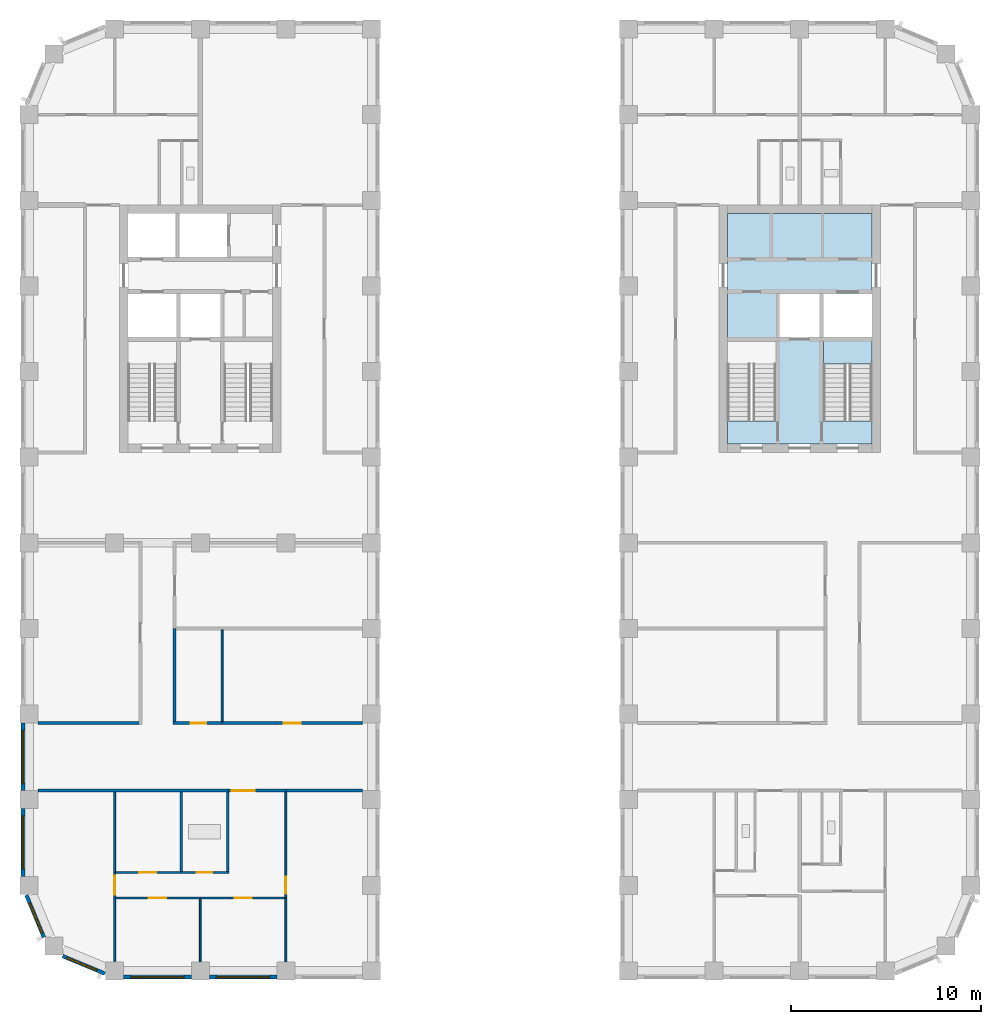
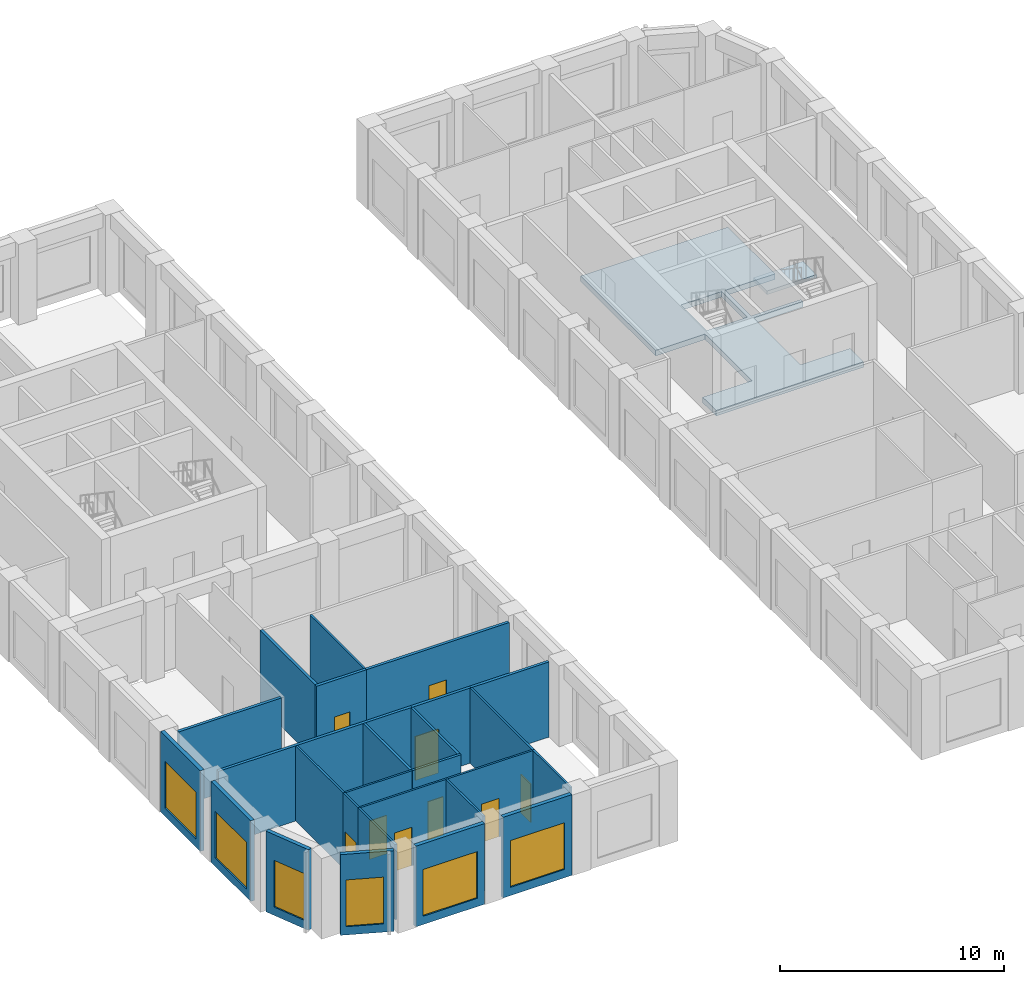
# One storey, part 2 of 12: 26 walls, 9 doors, 6 windows, 2 slabs, 15 openings, 1 element without a shape of its own.
"""IFC4 building model written with IfcOpenShell, lengths in metres."""

from ifc_helpers import new_model, si_unit, direction, frame, frame_2d, origin, place, context, subcontext, project, spatial, polyline, rectangle, outline, extrude, material, layer, layer_set, type_object, element, fill, aggregate, save


model = new_model("IFC4")

# Units and contexts
model_context = context("Model", 3, precision=1e-05, world=origin(), true_north=direction((0.0, 1.0)))
body_context = subcontext(model_context, "Body", "Model", "MODEL_VIEW")
ifc_project = project(units=[si_unit("LENGTHUNIT", "METRE"), si_unit("AREAUNIT", "SQUARE_METRE"), si_unit("VOLUMEUNIT", "CUBIC_METRE"), si_unit("PLANEANGLEUNIT", "RADIAN"), si_unit("MASSUNIT", "GRAM", prefix="KILO")], contexts=[model_context])

# Site, building, storey
site_placement = place(None, origin())
site = spatial("IfcSite", under=ifc_project, at=site_placement, CompositionType="ELEMENT")
building_placement = place(site_placement, origin())
building = spatial("IfcBuilding", under=site, at=building_placement, Name="Girih Gate Residences", CompositionType="ELEMENT")
storey_placement = place(building_placement, frame((0.0, 0.0, 155.0)))
storey = spatial("IfcBuildingStorey", under=building, at=storey_placement, Name="L43", CompositionType="ELEMENT", Elevation=155.0)

# Slab
ifc_material_1 = material(Name="Concrete C40/50", Category="concrete")
ifc_layer_1 = layer(ifc_material_1, 0.300048828125)
ifc_layer_set_1 = layer_set([ifc_layer_1], Name="Core floor slab 300")
slab_type_1 = type_object("IfcSlabType", Name="Core floor slab 300", PredefinedType="FLOOR", material=ifc_layer_set_1)
slab_1_placement = place(storey_placement, frame((0.0, 0.0, -0.300048828125)))
element("IfcSlab", 1, at=slab_1_placement, inside=storey, type_object=slab_type_1, Name="L43 E core floor", PredefinedType="FLOOR", context=body_context, shape_type="SweptSolid", body=[
    extrude(outline(polyline([(44.300048828125, 27.699951171875), (36.699951171875, 27.699951171875), (36.699951171875, 28.900634765625), (39.25, 28.900634765625), (39.25, 33.10009765625), (36.699951171875, 33.10009765625), (36.699951171875, 39.800048828125), (44.300048828125, 39.800048828125), (44.300048828125, 35.60009765625), (41.75, 35.60009765625), (41.75, 33.300048828125), (44.300048828125, 33.300048828125), (44.300048828125, 33.10009765625), (41.75, 33.10009765625), (41.75, 28.900634765625), (44.300048828125, 28.900634765625), (44.300048828125, 27.699951171875)]), holes=[polyline([(39.449951171875, 33.300048828125), (41.550048828125, 33.300048828125), (41.550048828125, 35.60009765625), (39.449951171875, 35.60009765625), (39.449951171875, 33.300048828125)])]), origin(), (0.0, 0.0, 1.0), 0.300048828125),
])

# Stair, slab
stair_type = type_object("IfcStairType", Name="Exit stair", PredefinedType="HALF_TURN_STAIR", material=ifc_material_1)
stair_placement = place(storey_placement, origin())
stair = element("IfcStair", 2, at=stair_placement, inside=storey, type_object=stair_type, Name="L43 Exit Stair ST-E1", PredefinedType="HALF_TURN_STAIR")
ifc_layer_2 = layer(ifc_material_1, 0.199951171875)
ifc_layer_set_2 = layer_set([ifc_layer_2], Name="Stair landing 200")
slab_type_2 = type_object("IfcSlabType", Name="Stair landing 200", PredefinedType="LANDING", material=ifc_layer_set_2)
slab_2_placement = place(storey_placement, frame((0.0, 0.0, 2.0)))
slab_2 = element("IfcSlab", 3, at=slab_2_placement, type_object=slab_type_2, Name="ST-E1 landing 1", PredefinedType="LANDING", context=body_context, shape_type="SweptSolid", body=[
    extrude(outline(polyline([(44.300048828125, 31.89990234375), (44.300048828125, 33.10009765625), (41.75, 33.10009765625), (41.75, 31.89990234375), (44.300048828125, 31.89990234375)])), origin(), (0.0, 0.0, 1.0), 0.199951171875),
])
aggregate(stair, [slab_2])

# Wall
ifc_material_2 = material(Name="Gypsum board on steel studs", Category="steel")
ifc_layer_3 = layer(ifc_material_2, 0.14990234375)
ifc_layer_set_3 = layer_set([ifc_layer_3], Name="Compartment wall 150 mm")
wall_type_1 = type_object("IfcWallType", Name="Compartment wall 150 mm", PredefinedType="PARTITIONING", material=ifc_layer_set_3)
wall_1_placement = place(storey_placement, frame((13.5, 9.47509765625, 0.0), z_axis=(0.0, 0.0, 1.0), x_axis=(1.0, 0.0, 0.0)))
element("IfcWall", 4, at=wall_1_placement, inside=storey, type_object=wall_type_1, Name="L43 partition", PredefinedType="PARTITIONING", context=body_context, shape_type="SweptSolid", body=[
    extrude(rectangle(XDim=4.02490234375, YDim=0.14990234375, at=frame_2d((2.012451171875, 0.0))), origin(), (0.0, 0.0, 1.0), 4.10009765625),
])

# Wall, opening, door
wall_2_placement = place(storey_placement, frame((13.5, 9.47509765625, 0.0), z_axis=(0.0, 0.0, 1.0), x_axis=(-1.0, 0.0, 0.0)))
wall_2 = element("IfcWall", 5, at=wall_2_placement, inside=storey, type_object=wall_type_1, Name="L43 partition", PredefinedType="PARTITIONING", context=body_context, shape_type="SweptSolid", body=[
    extrude(rectangle(XDim=3.050048828125, YDim=0.14990234375, at=frame_2d((1.52490234375, 0.0))), origin(), (0.0, 0.0, 1.0), 4.10009765625),
])
opening_1_placement = place(wall_2_placement, frame((1.64990234375, 0.0, 0.0)))
opening_1 = element("IfcOpeningElement", 6, at=opening_1_placement, cuts=wall_2, Name="Opening A43-007", PredefinedType="OPENING", context=body_context, shape_type="SweptSolid", body=[
    extrude(rectangle(XDim=1.199951171875, YDim=2.39990234375, at=frame_2d((0.60009765625, 1.199951171875))), frame((0.0, 0.0849609375, 0.0), z_axis=(0.0, -1.0, 0.0), x_axis=(1.0, 0.0, 0.0)), (0.0, 0.0, 1.0), 0.169921875),
])
ifc_material_3 = material(Name="Timber, fire-rated core", Category="wood")
door_type_1 = type_object("IfcDoorType", Name="Villa entrance door 1200x2400 FD30S", OperationType="NOTDEFINED", PredefinedType="DOOR", material=ifc_material_3)
door_1_placement = place(opening_1_placement, origin())
door_1 = element("IfcDoor", 7, at=door_1_placement, inside=storey, type_object=door_type_1, Name="Door A43-007", OperationType="SINGLE_SWING_RIGHT", OverallHeight=2.39990234375, OverallWidth=1.199951171875, PredefinedType="DOOR", context=body_context, shape_type="SweptSolid", body=[
    extrude(rectangle(XDim=1.199951171875, YDim=2.39990234375, at=frame_2d((0.60009765625, 1.199951171875))), frame((0.0, 0.02490234375, 0.0), z_axis=(0.0, -1.0, 0.0), x_axis=(1.0, 0.0, 0.0)), (0.0, 0.0, 1.0), 0.050048828125),
])
fill(opening_1, door_1)

# Wall
wall_3_placement = place(storey_placement, frame((0.47509765625, 9.47509765625, 0.0), z_axis=(0.0, 0.0, 1.0), x_axis=(1.0, 0.0, 0.0)))
element("IfcWall", 8, at=wall_3_placement, inside=storey, type_object=wall_type_1, Name="L43 partition", PredefinedType="PARTITIONING", context=body_context, shape_type="SweptSolid", body=[
    extrude(rectangle(XDim=9.974853515625, YDim=0.14990234375, at=frame_2d((4.9873046875, 0.0))), origin(), (0.0, 0.0, 1.0), 4.10009765625),
])

# Wall, opening, door
wall_4_placement = place(storey_placement, frame((10.14990234375, 13.02490234375, 0.0), z_axis=(0.0, 0.0, 1.0), x_axis=(1.0, 0.0, 0.0)))
wall_4 = element("IfcWall", 9, at=wall_4_placement, inside=storey, type_object=wall_type_1, Name="L43 partition", PredefinedType="PARTITIONING", context=body_context, shape_type="SweptSolid", body=[
    extrude(rectangle(XDim=7.375, YDim=0.14990234375, at=frame_2d((3.6875, 0.0))), origin(), (0.0, 0.0, 1.0), 4.10009765625),
])
opening_2_placement = place(wall_4_placement, frame((3.237548828125, 0.0, 0.0)))
opening_2 = element("IfcOpeningElement", 10, at=opening_2_placement, cuts=wall_4, Name="Opening A43-037", PredefinedType="OPENING", context=body_context, shape_type="SweptSolid", body=[
    extrude(rectangle(XDim=0.89990234375, YDim=2.10009765625, at=frame_2d((0.449951171875, 1.050048828125))), frame((0.0, 0.0849609375, 0.0), z_axis=(0.0, -1.0, 0.0), x_axis=(1.0, 0.0, 0.0)), (0.0, 0.0, 1.0), 0.169921875),
])
ifc_material_4 = material(Name="Timber", Category="wood")
door_type_2 = type_object("IfcDoorType", Name="Service room door 900x2100", OperationType="NOTDEFINED", PredefinedType="DOOR", material=ifc_material_4)
door_2_placement = place(opening_2_placement, origin())
door_2 = element("IfcDoor", 11, at=door_2_placement, inside=storey, type_object=door_type_2, Name="Door A43-037", OperationType="SINGLE_SWING_LEFT", OverallHeight=2.10009765625, OverallWidth=0.89990234375, PredefinedType="DOOR", context=body_context, shape_type="SweptSolid", body=[
    extrude(rectangle(XDim=0.89990234375, YDim=2.10009765625, at=frame_2d((0.449951171875, 1.050048828125))), frame((0.0, 0.02490234375, 0.0), z_axis=(0.0, -1.0, 0.0), x_axis=(1.0, 0.0, 0.0)), (0.0, 0.0, 1.0), 0.050048828125),
])
fill(opening_2, door_2)

wall_5_placement = place(storey_placement, frame((7.574951171875, 13.02490234375, 0.0), z_axis=(0.0, 0.0, 1.0), x_axis=(1.0, 0.0, 0.0)))
wall_5 = element("IfcWall", 12, at=wall_5_placement, inside=storey, type_object=wall_type_1, Name="L43 partition", PredefinedType="PARTITIONING", context=body_context, shape_type="SweptSolid", body=[
    extrude(rectangle(XDim=2.574951171875, YDim=0.14990234375, at=frame_2d((1.28759765625, 0.0))), origin(), (0.0, 0.0, 1.0), 4.10009765625),
])
opening_3_placement = place(wall_5_placement, frame((0.925048828125, 0.0, 0.0)))
opening_3 = element("IfcOpeningElement", 13, at=opening_3_placement, cuts=wall_5, Name="Opening A43-038", PredefinedType="OPENING", context=body_context, shape_type="SweptSolid", body=[
    extrude(rectangle(XDim=0.800048828125, YDim=2.10009765625, at=frame_2d((0.39990234375, 1.050048828125))), frame((0.0, 0.0849609375, 0.0), z_axis=(0.0, -1.0, 0.0), x_axis=(1.0, 0.0, 0.0)), (0.0, 0.0, 1.0), 0.169921875),
])
door_type_3 = type_object("IfcDoorType", Name="Bathroom door 800x2100", OperationType="NOTDEFINED", PredefinedType="DOOR", material=ifc_material_4)
door_3_placement = place(opening_3_placement, origin())
door_3 = element("IfcDoor", 14, at=door_3_placement, inside=storey, type_object=door_type_3, Name="Door A43-038", OperationType="SINGLE_SWING_RIGHT", OverallHeight=2.10009765625, OverallWidth=0.800048828125, PredefinedType="DOOR", context=body_context, shape_type="SweptSolid", body=[
    extrude(rectangle(XDim=0.800048828125, YDim=2.10009765625, at=frame_2d((0.39990234375, 1.050048828125))), frame((0.0, 0.02490234375, 0.0), z_axis=(0.0, -1.0, 0.0), x_axis=(1.0, 0.0, 0.0)), (0.0, 0.0, 1.0), 0.050048828125),
])
fill(opening_3, door_3)

# Walls
wall_6_placement = place(storey_placement, frame((0.47509765625, 13.02490234375, 0.0), z_axis=(0.0, 0.0, 1.0), x_axis=(1.0, 0.0, 0.0)))
element("IfcWall", 15, at=wall_6_placement, inside=storey, type_object=wall_type_1, Name="L43 partition", PredefinedType="PARTITIONING", context=body_context, shape_type="SweptSolid", body=[
    extrude(rectangle(XDim=5.2998046875, YDim=0.14990234375, at=frame_2d((2.64990234375, 0.0))), origin(), (0.0, 0.0, 1.0), 4.10009765625),
])
wall_7_placement = place(storey_placement, frame((7.64990234375, 13.10009765625, 0.0), z_axis=(0.0, 0.0, 1.0), x_axis=(0.0, 1.0, 0.0)))
element("IfcWall", 16, at=wall_7_placement, inside=storey, type_object=wall_type_1, Name="L43 partition", PredefinedType="PARTITIONING", context=body_context, shape_type="SweptSolid", body=[
    extrude(rectangle(XDim=4.89990234375, YDim=0.14990234375, at=frame_2d((2.449951171875, 0.0))), origin(), (0.0, 0.0, 1.0), 4.10009765625),
])
ifc_layer_4 = layer(ifc_material_2, 0.10009765625)
ifc_layer_set_4 = layer_set([ifc_layer_4], Name="Partition 100 mm")
wall_type_2 = type_object("IfcWallType", Name="Partition 100 mm", PredefinedType="PARTITIONING", material=ifc_layer_set_4)
wall_8_placement = place(storey_placement, frame((9.0, 0.47509765625, 0.0), z_axis=(0.0, 0.0, 1.0), x_axis=(0.0, 1.0, 0.0)))
element("IfcWall", 17, at=wall_8_placement, inside=storey, type_object=wall_type_2, Name="L43 partition", PredefinedType="PARTITIONING", context=body_context, shape_type="SweptSolid", body=[
    extrude(rectangle(XDim=3.309814453125, YDim=0.10009765625, at=frame_2d((1.65478515625, 0.0))), origin(), (0.0, 0.0, 1.0), 4.10009765625),
])

# Wall, opening, door
wall_9_placement = place(storey_placement, frame((9.0, 3.8349609375, 0.0), z_axis=(0.0, 0.0, 1.0), x_axis=(-1.0, 0.0, 0.0)))
wall_9 = element("IfcWall", 18, at=wall_9_placement, inside=storey, type_object=wall_type_2, Name="L43 partition", PredefinedType="PARTITIONING", context=body_context, shape_type="SweptSolid", body=[
    extrude(rectangle(XDim=4.449951171875, YDim=0.10009765625, at=frame_2d((2.22509765625, 0.0))), origin(), (0.0, 0.0, 1.0), 4.10009765625),
])
opening_4_placement = place(wall_9_placement, frame((1.800048828125, 0.0, 0.0)))
opening_4 = element("IfcOpeningElement", 19, at=opening_4_placement, cuts=wall_9, Name="Opening A43-002", PredefinedType="OPENING", context=body_context, shape_type="SweptSolid", body=[
    extrude(rectangle(XDim=0.89990234375, YDim=2.10009765625, at=frame_2d((0.449951171875, 1.050048828125))), frame((0.0, 0.06005859375, 0.0), z_axis=(0.0, -1.0, 0.0), x_axis=(1.0, 0.0, 0.0)), (0.0, 0.0, 1.0), 0.1201171875),
])
door_type_4 = type_object("IfcDoorType", Name="Bedroom door 900x2100", OperationType="NOTDEFINED", PredefinedType="DOOR", material=ifc_material_4)
door_4_placement = place(opening_4_placement, origin())
door_4 = element("IfcDoor", 20, at=door_4_placement, inside=storey, type_object=door_type_4, Name="Door A43-002", OperationType="SINGLE_SWING_RIGHT", OverallHeight=2.10009765625, OverallWidth=0.89990234375, PredefinedType="DOOR", context=body_context, shape_type="SweptSolid", body=[
    extrude(rectangle(XDim=0.89990234375, YDim=2.10009765625, at=frame_2d((0.449951171875, 1.050048828125))), frame((0.0, 0.02490234375, 0.0), z_axis=(0.0, -1.0, 0.0), x_axis=(1.0, 0.0, 0.0)), (0.0, 0.0, 1.0), 0.050048828125),
])
fill(opening_4, door_4)

# Walls
wall_10_placement = place(storey_placement, frame((4.5, 0.51416015625, 0.0), z_axis=(0.0, 0.0, 1.0), x_axis=(0.0, 1.0, 0.0)))
element("IfcWall", 21, at=wall_10_placement, inside=storey, type_object=wall_type_2, Name="L43 partition", PredefinedType="PARTITIONING", context=body_context, shape_type="SweptSolid", body=[
    extrude(rectangle(XDim=3.32080078125, YDim=0.10009765625, at=frame_2d((1.660400390625, 0.0))), origin(), (0.0, 0.0, 1.0), 4.10009765625),
])
wall_11_placement = place(storey_placement, frame((13.5, 0.47509765625, 0.0), z_axis=(0.0, 0.0, 1.0), x_axis=(0.0, 1.0, 0.0)))
element("IfcWall", 22, at=wall_11_placement, inside=storey, type_object=wall_type_2, Name="L43 partition", PredefinedType="PARTITIONING", context=body_context, shape_type="SweptSolid", body=[
    extrude(rectangle(XDim=3.35986328125, YDim=0.10009765625, at=frame_2d((1.679931640625, 0.0))), origin(), (0.0, 0.0, 1.0), 4.10009765625),
])

# Wall, opening, door
wall_12_placement = place(storey_placement, frame((13.449951171875, 3.8349609375, 0.0), z_axis=(0.0, 0.0, 1.0), x_axis=(-1.0, 0.0, 0.0)))
wall_12 = element("IfcWall", 23, at=wall_12_placement, inside=storey, type_object=wall_type_2, Name="L43 partition", PredefinedType="PARTITIONING", context=body_context, shape_type="SweptSolid", body=[
    extrude(rectangle(XDim=4.449951171875, YDim=0.10009765625, at=frame_2d((2.22509765625, 0.0))), origin(), (0.0, 0.0, 1.0), 4.10009765625),
])
opening_5_placement = place(wall_12_placement, frame((1.75, 0.0, 0.0)))
opening_5 = element("IfcOpeningElement", 24, at=opening_5_placement, cuts=wall_12, Name="Opening A43-003", PredefinedType="OPENING", context=body_context, shape_type="SweptSolid", body=[
    extrude(rectangle(XDim=0.89990234375, YDim=2.10009765625, at=frame_2d((0.449951171875, 1.050048828125))), frame((0.0, 0.06005859375, 0.0), z_axis=(0.0, -1.0, 0.0), x_axis=(1.0, 0.0, 0.0)), (0.0, 0.0, 1.0), 0.1201171875),
])
door_5_placement = place(opening_5_placement, origin())
door_5 = element("IfcDoor", 25, at=door_5_placement, inside=storey, type_object=door_type_4, Name="Door A43-003", OperationType="SINGLE_SWING_LEFT", OverallHeight=2.10009765625, OverallWidth=0.89990234375, PredefinedType="DOOR", context=body_context, shape_type="SweptSolid", body=[
    extrude(rectangle(XDim=0.89990234375, YDim=2.10009765625, at=frame_2d((0.449951171875, 1.050048828125))), frame((0.0, 0.02490234375, 0.0), z_axis=(0.0, -1.0, 0.0), x_axis=(1.0, 0.0, 0.0)), (0.0, 0.0, 1.0), 0.050048828125),
])
fill(opening_5, door_5)

wall_13_placement = place(storey_placement, frame((13.5, 9.39990234375, 0.0), z_axis=(0.0, 0.0, 1.0), x_axis=(0.0, -1.0, 0.0)))
wall_13 = element("IfcWall", 26, at=wall_13_placement, inside=storey, type_object=wall_type_2, Name="L43 partition", PredefinedType="PARTITIONING", context=body_context, shape_type="SweptSolid", body=[
    extrude(rectangle(XDim=5.56494140625, YDim=0.10009765625, at=frame_2d((2.782470703125, 0.0))), origin(), (0.0, 0.0, 1.0), 4.10009765625),
])
opening_6_placement = place(wall_13_placement, frame((4.445068359375, 0.0, 0.0)))
opening_6 = element("IfcOpeningElement", 27, at=opening_6_placement, cuts=wall_13, Name="Opening A43-004", PredefinedType="OPENING", context=body_context, shape_type="SweptSolid", body=[
    extrude(rectangle(XDim=0.89990234375, YDim=2.10009765625, at=frame_2d((0.449951171875, 1.050048828125))), frame((0.0, 0.06005859375, 0.0), z_axis=(0.0, -1.0, 0.0), x_axis=(1.0, 0.0, 0.0)), (0.0, 0.0, 1.0), 0.1201171875),
])
door_6_placement = place(opening_6_placement, origin())
door_6 = element("IfcDoor", 28, at=door_6_placement, inside=storey, type_object=door_type_4, Name="Door A43-004", OperationType="SINGLE_SWING_RIGHT", OverallHeight=2.10009765625, OverallWidth=0.89990234375, PredefinedType="DOOR", context=body_context, shape_type="SweptSolid", body=[
    extrude(rectangle(XDim=0.89990234375, YDim=2.10009765625, at=frame_2d((0.449951171875, 1.050048828125))), frame((0.0, 0.02490234375, 0.0), z_axis=(0.0, -1.0, 0.0), x_axis=(1.0, 0.0, 0.0)), (0.0, 0.0, 1.0), 0.050048828125),
])
fill(opening_6, door_6)

wall_14_placement = place(storey_placement, frame((4.550048828125, 5.175048828125, 0.0), z_axis=(0.0, 0.0, 1.0), x_axis=(1.0, 0.0, 0.0)))
wall_14 = element("IfcWall", 29, at=wall_14_placement, inside=storey, type_object=wall_type_2, Name="L43 partition", PredefinedType="PARTITIONING", context=body_context, shape_type="SweptSolid", body=[
    extrude(rectangle(XDim=3.444580078125, YDim=0.10009765625, at=frame_2d((1.72216796875, 0.0))), origin(), (0.0, 0.0, 1.0), 4.10009765625),
])
opening_7_placement = place(wall_14_placement, frame((1.247314453125, 0.0, 0.0)))
opening_7 = element("IfcOpeningElement", 30, at=opening_7_placement, cuts=wall_14, Name="Opening A43-005", PredefinedType="OPENING", context=body_context, shape_type="SweptSolid", body=[
    extrude(rectangle(XDim=0.89990234375, YDim=2.10009765625, at=frame_2d((0.449951171875, 1.050048828125))), frame((0.0, 0.06005859375, 0.0), z_axis=(0.0, -1.0, 0.0), x_axis=(1.0, 0.0, 0.0)), (0.0, 0.0, 1.0), 0.1201171875),
])
door_type_5 = type_object("IfcDoorType", Name="Kitchen door 900x2100", OperationType="NOTDEFINED", PredefinedType="DOOR", material=ifc_material_4)
door_7_placement = place(opening_7_placement, origin())
door_7 = element("IfcDoor", 31, at=door_7_placement, inside=storey, type_object=door_type_5, Name="Door A43-005", OperationType="SINGLE_SWING_LEFT", OverallHeight=2.10009765625, OverallWidth=0.89990234375, PredefinedType="DOOR", context=body_context, shape_type="SweptSolid", body=[
    extrude(rectangle(XDim=0.89990234375, YDim=2.10009765625, at=frame_2d((0.449951171875, 1.050048828125))), frame((0.0, 0.02490234375, 0.0), z_axis=(0.0, -1.0, 0.0), x_axis=(1.0, 0.0, 0.0)), (0.0, 0.0, 1.0), 0.050048828125),
])
fill(opening_7, door_7)

wall_15_placement = place(storey_placement, frame((4.5, 3.8349609375, 0.0), z_axis=(0.0, 0.0, 1.0), x_axis=(0.0, 1.0, 0.0)))
wall_15 = element("IfcWall", 32, at=wall_15_placement, inside=storey, type_object=wall_type_2, Name="L43 partition", PredefinedType="PARTITIONING", context=body_context, shape_type="SweptSolid", body=[
    extrude(rectangle(XDim=1.340087890625, YDim=0.10009765625, at=frame_2d((0.669921875, 0.0))), origin(), (0.0, 0.0, 1.0), 4.10009765625),
])
opening_8_placement = place(wall_15_placement, frame((0.169921875, 0.0, 0.0)))
opening_8 = element("IfcOpeningElement", 33, at=opening_8_placement, cuts=wall_15, Name="Opening A43-006", PredefinedType="OPENING", context=body_context, shape_type="SweptSolid", body=[
    extrude(rectangle(XDim=1.0, YDim=2.10009765625, at=frame_2d((0.5, 1.050048828125))), frame((0.0, 0.06005859375, 0.0), z_axis=(0.0, -1.0, 0.0), x_axis=(1.0, 0.0, 0.0)), (0.0, 0.0, 1.0), 0.1201171875),
])
door_type_6 = type_object("IfcDoorType", Name="Living room door 1000x2100", OperationType="NOTDEFINED", PredefinedType="DOOR", material=ifc_material_4)
door_8_placement = place(opening_8_placement, origin())
door_8 = element("IfcDoor", 34, at=door_8_placement, inside=storey, type_object=door_type_6, Name="Door A43-006", OperationType="SINGLE_SWING_RIGHT", OverallHeight=2.10009765625, OverallWidth=1.0, PredefinedType="DOOR", context=body_context, shape_type="SweptSolid", body=[
    extrude(rectangle(XDim=1.0, YDim=2.10009765625, at=frame_2d((0.5, 1.050048828125))), frame((0.0, 0.02490234375, 0.0), z_axis=(0.0, -1.0, 0.0), x_axis=(1.0, 0.0, 0.0)), (0.0, 0.0, 1.0), 0.050048828125),
])
fill(opening_8, door_8)

# Walls
wall_16_placement = place(storey_placement, frame((4.5, 5.175048828125, 0.0), z_axis=(0.0, 0.0, 1.0), x_axis=(0.0, 1.0, 0.0)))
element("IfcWall", 35, at=wall_16_placement, inside=storey, type_object=wall_type_2, Name="L43 partition", PredefinedType="PARTITIONING", context=body_context, shape_type="SweptSolid", body=[
    extrude(rectangle(XDim=4.224853515625, YDim=0.10009765625, at=frame_2d((2.1123046875, 0.0))), origin(), (0.0, 0.0, 1.0), 4.10009765625),
])
wall_17_placement = place(storey_placement, frame((10.14990234375, 13.10009765625, 0.0), z_axis=(0.0, 0.0, 1.0), x_axis=(0.0, 1.0, 0.0)))
element("IfcWall", 36, at=wall_17_placement, inside=storey, type_object=wall_type_2, Name="L43 partition", PredefinedType="PARTITIONING", context=body_context, shape_type="SweptSolid", body=[
    extrude(rectangle(XDim=4.824951171875, YDim=0.10009765625, at=frame_2d((2.41259765625, 0.0))), origin(), (0.0, 0.0, 1.0), 4.10009765625),
])

# Wall, opening, window
ifc_material_5 = material(Name="Precast concrete C50/60", Category="concrete")
ifc_layer_5 = layer(ifc_material_5, 0.06005859375, Name="Outer leaf")
ifc_material_6 = material(Name="Rigid PIR insulation")
ifc_layer_6 = layer(ifc_material_6, 0.090087890625, Name="Insulation")
ifc_material_7 = material(Name="Precast concrete C40/50", Category="concrete")
ifc_layer_7 = layer(ifc_material_7, 0.050048828125, Name="Inner leaf")
ifc_layer_set_5 = layer_set([ifc_layer_5, ifc_layer_6, ifc_layer_7], Name="Precast concrete C50/60 external wall 200")
wall_type_3 = type_object("IfcWallType", Name="Precast concrete C50/60 external wall 200", PredefinedType="SOLIDWALL", material=ifc_layer_set_5)
wall_18_placement = place(storey_placement, frame((-0.324951171875, 9.47509765625, 0.0), z_axis=(0.0, 0.0, 1.0), x_axis=(0.0, 1.0, 0.0)))
wall_18 = element("IfcWall", 37, at=wall_18_placement, inside=storey, type_object=wall_type_3, Name="External wall W0000_0450.7", PredefinedType="SOLIDWALL", context=body_context, shape_type="SweptSolid", body=[
    extrude(rectangle(XDim=3.5498046875, YDim=0.199951171875, at=frame_2d((1.77490234375, 0.0))), origin(), (0.0, 0.0, 1.0), 4.39990234375),
])
opening_9_placement = place(wall_18_placement, frame((0.375, 0.0, 0.449951171875)))
opening_9 = element("IfcOpeningElement", 38, at=opening_9_placement, cuts=wall_18, Name="Opening W-6A", PredefinedType="OPENING", context=body_context, shape_type="SweptSolid", body=[
    extrude(rectangle(XDim=2.800048828125, YDim=2.550048828125, at=frame_2d((1.39990234375, 1.27490234375))), frame((0.0, 0.10986328125, 0.0), z_axis=(0.0, -1.0, 0.0), x_axis=(1.0, 0.0, 0.0)), (0.0, 0.0, 1.0), 0.219970703125),
])
ifc_material_8 = material(Name="Double glazing in aluminium frame", Category="aluminium")
window_type_1 = type_object("IfcWindowType", Name="Window W-6A 2800x2550", PartitioningType="SINGLE_PANEL", PredefinedType="WINDOW", material=ifc_material_8)
window_1_placement = place(opening_9_placement, origin())
window_1 = element("IfcWindow", 39, at=window_1_placement, inside=storey, type_object=window_type_1, Name="Window W-6A W0000_0450.7", OverallHeight=2.550048828125, OverallWidth=2.800048828125, PartitioningType="SINGLE_PANEL", PredefinedType="WINDOW", context=body_context, shape_type="SweptSolid", body=[
    extrude(rectangle(XDim=2.800048828125, YDim=2.550048828125, at=frame_2d((1.39990234375, 1.27490234375))), frame((0.0, 0.030029296875, 0.0), z_axis=(0.0, -1.0, 0.0), x_axis=(1.0, 0.0, 0.0)), (0.0, 0.0, 1.0), 0.06005859375),
])
fill(opening_9, window_1)

wall_19_placement = place(storey_placement, frame((-0.324951171875, 4.97509765625, 0.0), z_axis=(0.0, 0.0, 1.0), x_axis=(0.0, 1.0, 0.0)))
wall_19 = element("IfcWall", 40, at=wall_19_placement, inside=storey, type_object=wall_type_3, Name="External wall W0000_0450.8", PredefinedType="SOLIDWALL", context=body_context, shape_type="SweptSolid", body=[
    extrude(rectangle(XDim=3.5498046875, YDim=0.199951171875, at=frame_2d((1.77490234375, 0.0))), origin(), (0.0, 0.0, 1.0), 4.39990234375),
])
opening_10_placement = place(wall_19_placement, frame((0.375, 0.0, 0.449951171875)))
opening_10 = element("IfcOpeningElement", 41, at=opening_10_placement, cuts=wall_19, Name="Opening W-6A", PredefinedType="OPENING", context=body_context, shape_type="SweptSolid", body=[
    extrude(rectangle(XDim=2.800048828125, YDim=2.550048828125, at=frame_2d((1.39990234375, 1.27490234375))), frame((0.0, 0.10986328125, 0.0), z_axis=(0.0, -1.0, 0.0), x_axis=(1.0, 0.0, 0.0)), (0.0, 0.0, 1.0), 0.219970703125),
])
window_2_placement = place(opening_10_placement, origin())
window_2 = element("IfcWindow", 42, at=window_2_placement, inside=storey, type_object=window_type_1, Name="Window W-6A W0000_0450.8", OverallHeight=2.550048828125, OverallWidth=2.800048828125, PartitioningType="SINGLE_PANEL", PredefinedType="WINDOW", context=body_context, shape_type="SweptSolid", body=[
    extrude(rectangle(XDim=2.800048828125, YDim=2.550048828125, at=frame_2d((1.39990234375, 1.27490234375))), frame((0.0, 0.030029296875, 0.0), z_axis=(0.0, -1.0, 0.0), x_axis=(1.0, 0.0, 0.0)), (0.0, 0.0, 1.0), 0.06005859375),
])
fill(opening_10, window_2)

wall_20_placement = place(storey_placement, frame((0.7802734375, 1.76708984375, 0.0), z_axis=(0.0, 0.0, 1.0), x_axis=(-0.382680855588, 0.923880599843, 0.0)))
wall_20 = element("IfcWall", 43, at=wall_20_placement, inside=storey, type_object=wall_type_3, Name="External wall SW0000_0045.0", PredefinedType="SOLIDWALL", context=body_context, shape_type="SweptSolid", body=[
    extrude(rectangle(XDim=2.402587890625, YDim=0.199951171875, at=frame_2d((1.201171875, 0.0))), origin(), (0.0, 0.0, 1.0), 4.39990234375),
])
opening_11_placement = place(wall_20_placement, frame((0.25146484375, 0.0, 0.449951171875)))
opening_11 = element("IfcOpeningElement", 44, at=opening_11_placement, cuts=wall_20, Name="Opening W-2F", PredefinedType="OPENING", context=body_context, shape_type="SweptSolid", body=[
    extrude(rectangle(XDim=1.699951171875, YDim=2.550048828125, at=frame_2d((0.85009765625, 1.27490234375))), frame((0.0, 0.10986328125, 0.0), z_axis=(0.0, -1.0, 0.0), x_axis=(1.0, 0.0, 0.0)), (0.0, 0.0, 1.0), 0.219970703125),
])
window_type_2 = type_object("IfcWindowType", Name="Window W-2F 1700x2550", PartitioningType="SINGLE_PANEL", PredefinedType="WINDOW", material=ifc_material_8)
window_3_placement = place(opening_11_placement, origin())
window_3 = element("IfcWindow", 45, at=window_3_placement, inside=storey, type_object=window_type_2, Name="Window W-2F SW0000_0045.0", OverallHeight=2.550048828125, OverallWidth=1.699951171875, PartitioningType="SINGLE_PANEL", PredefinedType="WINDOW", context=body_context, shape_type="SweptSolid", body=[
    extrude(rectangle(XDim=1.699951171875, YDim=2.550048828125, at=frame_2d((0.85009765625, 1.27490234375))), frame((0.0, 0.030029296875, 0.0), z_axis=(0.0, -1.0, 0.0), x_axis=(1.0, 0.0, 0.0)), (0.0, 0.0, 1.0), 0.06005859375),
])
fill(opening_11, window_3)

wall_21_placement = place(storey_placement, frame((3.98681640625, -0.13916015625, 0.0), z_axis=(0.0, 0.0, 1.0), x_axis=(-0.923880599843, 0.382680855588, 0.0)))
wall_21 = element("IfcWall", 46, at=wall_21_placement, inside=storey, type_object=wall_type_3, Name="External wall SW0013_0013.0", PredefinedType="SOLIDWALL", context=body_context, shape_type="SweptSolid", body=[
    extrude(rectangle(XDim=2.402587890625, YDim=0.199951171875, at=frame_2d((1.201171875, 0.0))), origin(), (0.0, 0.0, 1.0), 4.39990234375),
])
opening_12_placement = place(wall_21_placement, frame((0.451171875, 0.0, 0.449951171875)))
opening_12 = element("IfcOpeningElement", 47, at=opening_12_placement, cuts=wall_21, Name="Opening W-2F", PredefinedType="OPENING", context=body_context, shape_type="SweptSolid", body=[
    extrude(rectangle(XDim=1.699951171875, YDim=2.550048828125, at=frame_2d((0.85009765625, 1.27490234375))), frame((0.0, 0.10986328125, 0.0), z_axis=(0.0, -1.0, 0.0), x_axis=(1.0, 0.0, 0.0)), (0.0, 0.0, 1.0), 0.219970703125),
])
window_4_placement = place(opening_12_placement, origin())
window_4 = element("IfcWindow", 48, at=window_4_placement, inside=storey, type_object=window_type_2, Name="Window W-2F SW0013_0013.0", OverallHeight=2.550048828125, OverallWidth=1.699951171875, PartitioningType="SINGLE_PANEL", PredefinedType="WINDOW", context=body_context, shape_type="SweptSolid", body=[
    extrude(rectangle(XDim=1.699951171875, YDim=2.550048828125, at=frame_2d((0.85009765625, 1.27490234375))), frame((0.0, 0.030029296875, 0.0), z_axis=(0.0, -1.0, 0.0), x_axis=(1.0, 0.0, 0.0)), (0.0, 0.0, 1.0), 0.06005859375),
])
fill(opening_12, window_4)

wall_22_placement = place(storey_placement, frame((8.52490234375, -0.324951171875, 0.0), z_axis=(0.0, 0.0, 1.0), x_axis=(-1.0, 0.0, 0.0)))
wall_22 = element("IfcWall", 49, at=wall_22_placement, inside=storey, type_object=wall_type_3, Name="External wall S0045_0000.0", PredefinedType="SOLIDWALL", context=body_context, shape_type="SweptSolid", body=[
    extrude(rectangle(XDim=3.5498046875, YDim=0.199951171875, at=frame_2d((1.77490234375, 0.0))), origin(), (0.0, 0.0, 1.0), 4.39990234375),
])
opening_13_placement = place(wall_22_placement, frame((0.375, 0.0, 0.449951171875)))
opening_13 = element("IfcOpeningElement", 50, at=opening_13_placement, cuts=wall_22, Name="Opening W-6A", PredefinedType="OPENING", context=body_context, shape_type="SweptSolid", body=[
    extrude(rectangle(XDim=2.800048828125, YDim=2.550048828125, at=frame_2d((1.39990234375, 1.27490234375))), frame((0.0, 0.10986328125, 0.0), z_axis=(0.0, -1.0, 0.0), x_axis=(1.0, 0.0, 0.0)), (0.0, 0.0, 1.0), 0.219970703125),
])
window_5_placement = place(opening_13_placement, origin())
window_5 = element("IfcWindow", 51, at=window_5_placement, inside=storey, type_object=window_type_1, Name="Window W-6A S0045_0000.0", OverallHeight=2.550048828125, OverallWidth=2.800048828125, PartitioningType="SINGLE_PANEL", PredefinedType="WINDOW", context=body_context, shape_type="SweptSolid", body=[
    extrude(rectangle(XDim=2.800048828125, YDim=2.550048828125, at=frame_2d((1.39990234375, 1.27490234375))), frame((0.0, 0.030029296875, 0.0), z_axis=(0.0, -1.0, 0.0), x_axis=(1.0, 0.0, 0.0)), (0.0, 0.0, 1.0), 0.06005859375),
])
fill(opening_13, window_5)

wall_23_placement = place(storey_placement, frame((13.02490234375, -0.324951171875, 0.0), z_axis=(0.0, 0.0, 1.0), x_axis=(-1.0, 0.0, 0.0)))
wall_23 = element("IfcWall", 52, at=wall_23_placement, inside=storey, type_object=wall_type_3, Name="External wall S0045_0000.1", PredefinedType="SOLIDWALL", context=body_context, shape_type="SweptSolid", body=[
    extrude(rectangle(XDim=3.5498046875, YDim=0.199951171875, at=frame_2d((1.77490234375, 0.0))), origin(), (0.0, 0.0, 1.0), 4.39990234375),
])
opening_14_placement = place(wall_23_placement, frame((0.375, 0.0, 0.449951171875)))
opening_14 = element("IfcOpeningElement", 53, at=opening_14_placement, cuts=wall_23, Name="Opening W-6A", PredefinedType="OPENING", context=body_context, shape_type="SweptSolid", body=[
    extrude(rectangle(XDim=2.800048828125, YDim=2.550048828125, at=frame_2d((1.39990234375, 1.27490234375))), frame((0.0, 0.10986328125, 0.0), z_axis=(0.0, -1.0, 0.0), x_axis=(1.0, 0.0, 0.0)), (0.0, 0.0, 1.0), 0.219970703125),
])
window_6_placement = place(opening_14_placement, origin())
window_6 = element("IfcWindow", 54, at=window_6_placement, inside=storey, type_object=window_type_1, Name="Window W-6A S0045_0000.1", OverallHeight=2.550048828125, OverallWidth=2.800048828125, PartitioningType="SINGLE_PANEL", PredefinedType="WINDOW", context=body_context, shape_type="SweptSolid", body=[
    extrude(rectangle(XDim=2.800048828125, YDim=2.550048828125, at=frame_2d((1.39990234375, 1.27490234375))), frame((0.0, 0.030029296875, 0.0), z_axis=(0.0, -1.0, 0.0), x_axis=(1.0, 0.0, 0.0)), (0.0, 0.0, 1.0), 0.06005859375),
])
fill(opening_14, window_6)

# Wall
ifc_layer_8 = layer(ifc_material_2, 0.125)
ifc_layer_set_6 = layer_set([ifc_layer_8], Name="Wet room wall 125 mm")
wall_type_4 = type_object("IfcWallType", Name="Wet room wall 125 mm", PredefinedType="PARTITIONING", material=ifc_layer_set_6)
wall_24_placement = place(storey_placement, frame((10.449951171875, 5.237548828125, 0.0), z_axis=(0.0, 0.0, 1.0), x_axis=(0.0, 1.0, 0.0)))
element("IfcWall", 55, at=wall_24_placement, inside=storey, type_object=wall_type_4, Name="L43 partition", PredefinedType="PARTITIONING", context=body_context, shape_type="SweptSolid", body=[
    extrude(rectangle(XDim=4.162353515625, YDim=0.125, at=frame_2d((2.0810546875, 0.0))), origin(), (0.0, 0.0, 1.0), 4.10009765625),
])

# Wall, opening, door
wall_25_placement = place(storey_placement, frame((7.99462890625, 5.175048828125, 0.0), z_axis=(0.0, 0.0, 1.0), x_axis=(1.0, 0.0, 0.0)))
wall_25 = element("IfcWall", 56, at=wall_25_placement, inside=storey, type_object=wall_type_4, Name="L43 partition", PredefinedType="PARTITIONING", context=body_context, shape_type="SweptSolid", body=[
    extrude(rectangle(XDim=2.517822265625, YDim=0.125, at=frame_2d((1.2587890625, 0.0))), origin(), (0.0, 0.0, 1.0), 4.10009765625),
])
opening_15_placement = place(wall_25_placement, frame((0.82763671875, 0.0, 0.0)))
opening_15 = element("IfcOpeningElement", 57, at=opening_15_placement, cuts=wall_25, Name="Opening A43-001", PredefinedType="OPENING", context=body_context, shape_type="SweptSolid", body=[
    extrude(rectangle(XDim=0.800048828125, YDim=2.10009765625, at=frame_2d((0.39990234375, 1.050048828125))), frame((0.0, 0.072509765625, 0.0), z_axis=(0.0, -1.0, 0.0), x_axis=(1.0, 0.0, 0.0)), (0.0, 0.0, 1.0), 0.14501953125),
])
door_9_placement = place(opening_15_placement, origin())
door_9 = element("IfcDoor", 58, at=door_9_placement, inside=storey, type_object=door_type_3, Name="Door A43-001", OperationType="SINGLE_SWING_LEFT", OverallHeight=2.10009765625, OverallWidth=0.800048828125, PredefinedType="DOOR", context=body_context, shape_type="SweptSolid", body=[
    extrude(rectangle(XDim=0.800048828125, YDim=2.10009765625, at=frame_2d((0.39990234375, 1.050048828125))), frame((0.0, 0.02490234375, 0.0), z_axis=(0.0, -1.0, 0.0), x_axis=(1.0, 0.0, 0.0)), (0.0, 0.0, 1.0), 0.050048828125),
])
fill(opening_15, door_9)

# Wall
wall_26_placement = place(storey_placement, frame((7.9951171875, 5.237548828125, 0.0), z_axis=(0.0, 0.0, 1.0), x_axis=(0.0, 1.0, 0.0)))
element("IfcWall", 59, at=wall_26_placement, inside=storey, type_object=wall_type_4, Name="L43 partition", PredefinedType="PARTITIONING", context=body_context, shape_type="SweptSolid", body=[
    extrude(rectangle(XDim=4.162353515625, YDim=0.125, at=frame_2d((2.0810546875, 0.0))), origin(), (0.0, 0.0, 1.0), 4.10009765625),
])

save(model, "model.ifc")
